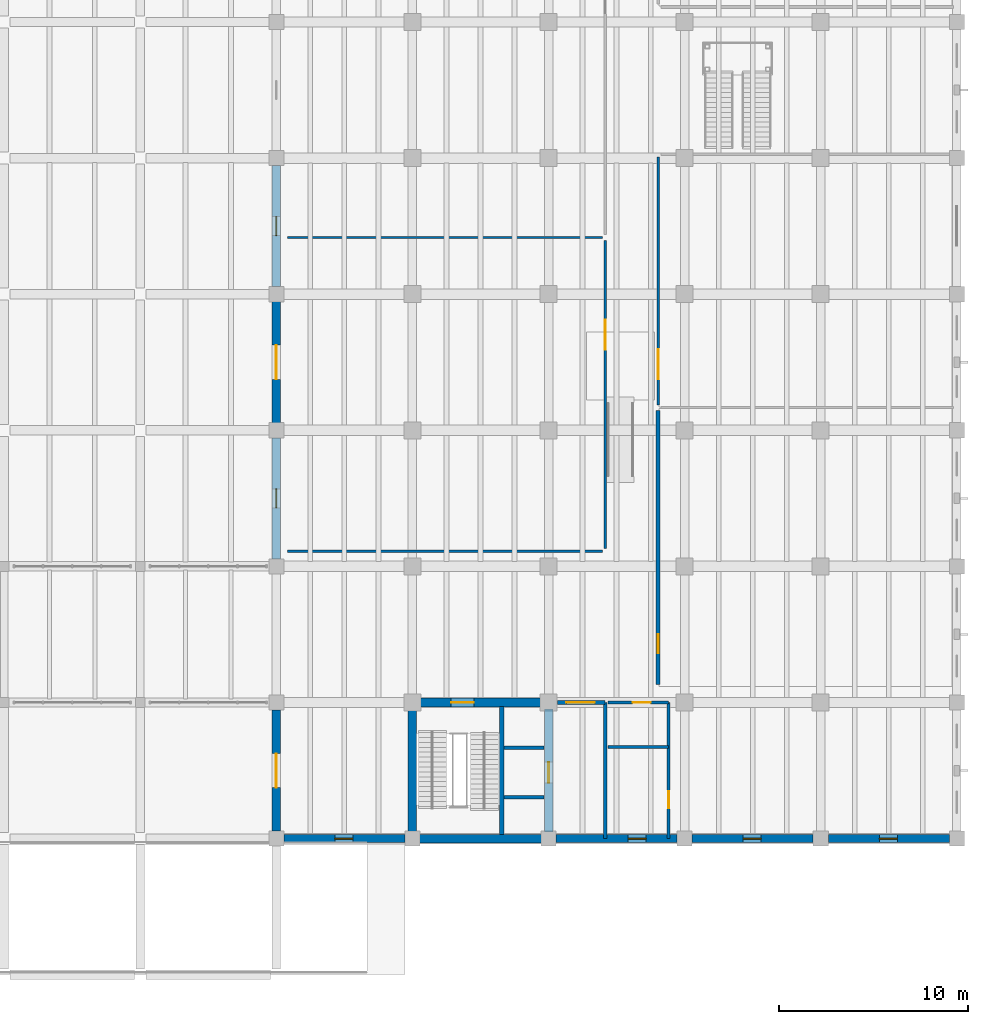
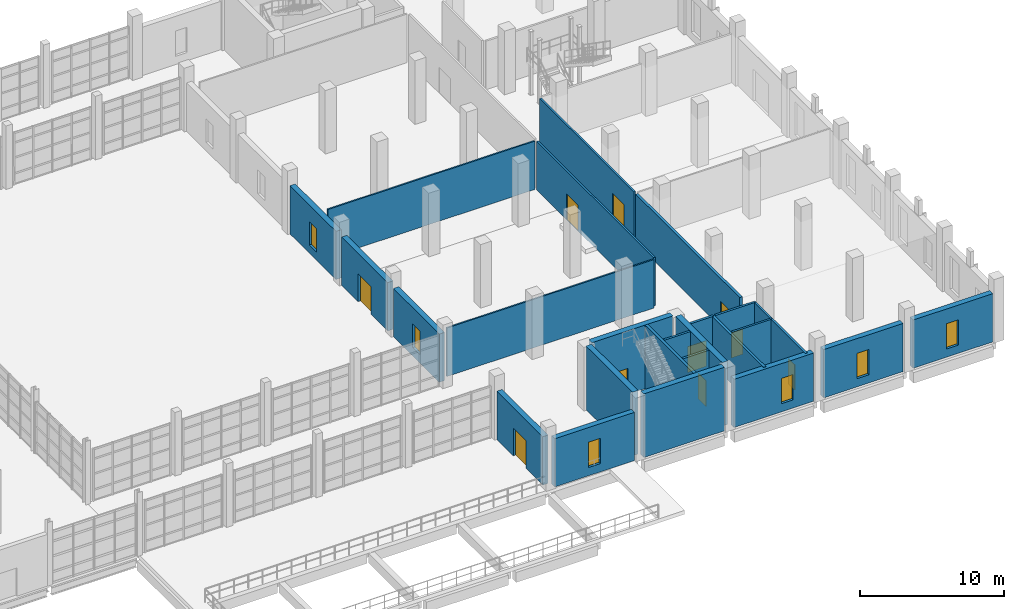
# One storey, part 70 of 79: 25 walls, 10 doors, 6 windows, 16 openings.
"""IFC4 building model written with IfcOpenShell, lengths in metres."""

from ifc_helpers import new_model, si_unit, direction, frame, frame_2d, origin, place, context, subcontext, project, spatial, rectangle, extrude, material, layer, layer_set, type_object, element, fill, save


model = new_model("IFC4")

# Units and contexts
model_context = context("Model", 3, precision=1e-05, world=origin(), true_north=direction((0.0, 1.0)))
body_context = subcontext(model_context, "Body", "Model", "MODEL_VIEW")
ifc_project = project(units=[si_unit("LENGTHUNIT", "METRE"), si_unit("AREAUNIT", "SQUARE_METRE"), si_unit("VOLUMEUNIT", "CUBIC_METRE"), si_unit("PLANEANGLEUNIT", "RADIAN"), si_unit("MASSUNIT", "GRAM", prefix="KILO")], contexts=[model_context])

# Site, building, storey
site_placement = place(None, origin())
site = spatial("IfcSite", under=ifc_project, at=site_placement, CompositionType="ELEMENT")
building_placement = place(site_placement, origin())
building = spatial("IfcBuilding", under=site, at=building_placement, Name="Qiaolan Assembly House", CompositionType="ELEMENT")
storey_placement = place(building_placement, origin())
storey = spatial("IfcBuildingStorey", under=building, at=storey_placement, Name="L00", CompositionType="ELEMENT", Elevation=0.0)

# Wall
ifc_material_1 = material(Name="Concrete C50/60", Category="concrete")
ifc_layer_1 = layer(ifc_material_1, 0.449951171875)
ifc_layer_set_1 = layer_set([ifc_layer_1], Name="Concrete C50/60")
wall_type_1 = type_object("IfcWallType", Name="WAL-CORE-450", PredefinedType="SHEAR", material=ifc_layer_set_1)
wall_1_placement = place(storey_placement, frame((144.35009765625, 28.800048828125, 0.0), z_axis=(0.0, 0.0, 1.0), x_axis=(1.0, 0.0, 0.0)))
element("IfcWall", 1, at=wall_1_placement, inside=storey, type_object=wall_type_1, Name="CW-450 shear core wall CORE-E S L00", PredefinedType="SHEAR", context=body_context, shape_type="SweptSolid", body=[
    extrude(rectangle(XDim=6.5, YDim=0.449951171875, at=frame_2d((3.25, 0.0))), origin(), (0.0, 0.0, 1.0), 5.39990234375),
])

# Wall, opening, door
wall_2_placement = place(storey_placement, frame((151.199951171875, 29.14990234375, 0.0), z_axis=(0.0, 0.0, 1.0), x_axis=(0.0, 1.0, 0.0)))
wall_2 = element("IfcWall", 2, at=wall_2_placement, inside=storey, type_object=wall_type_1, Name="CW-450 shear core wall CORE-E E L00", PredefinedType="SHEAR", context=body_context, shape_type="SweptSolid", body=[
    extrude(rectangle(XDim=6.5, YDim=0.449951171875, at=frame_2d((3.25, 0.0))), origin(), (0.0, 0.0, 1.0), 5.39990234375),
])
opening_1_placement = place(wall_2_placement, frame((2.60009765625, 0.0, 0.0)))
opening_1 = element("IfcOpeningElement", 3, at=opening_1_placement, cuts=wall_2, Name="Opening LD-065", PredefinedType="OPENING", context=body_context, shape_type="SweptSolid", body=[
    extrude(rectangle(XDim=1.10009765625, YDim=2.199951171875, at=frame_2d((0.550048828125, 1.10009765625))), frame((0.0, 0.23486328125, 0.0), z_axis=(0.0, -1.0, 0.0), x_axis=(1.0, 0.0, 0.0)), (0.0, 0.0, 1.0), 0.469970703125),
])
ifc_material_2 = material(Name="Anodised bronze aluminium", Category="aluminium")
door_type_1 = type_object("IfcDoorType", Name="DOR-LIFT-LD1100", OperationType="SLIDING_TO_LEFT", PredefinedType="DOOR", material=ifc_material_2)
door_1_placement = place(opening_1_placement, origin())
door_1 = element("IfcDoor", 4, at=door_1_placement, inside=storey, type_object=door_type_1, Name="Lift landing door LD-065 (LF-09 L00)", OperationType="SLIDING_TO_LEFT", OverallHeight=2.199951171875, OverallWidth=1.10009765625, PredefinedType="DOOR", context=body_context, shape_type="SweptSolid", body=[
    extrude(rectangle(XDim=1.10009765625, YDim=2.199951171875, at=frame_2d((0.550048828125, 1.10009765625))), frame((0.0, 0.02490234375, 0.0), z_axis=(0.0, -1.0, 0.0), x_axis=(1.0, 0.0, 0.0)), (0.0, 0.0, 1.0), 0.050048828125),
])
fill(opening_1, door_1)

wall_3_placement = place(storey_placement, frame((150.85009765625, 36.0, 0.0), z_axis=(0.0, 0.0, 1.0), x_axis=(-1.0, 0.0, 0.0)))
wall_3 = element("IfcWall", 5, at=wall_3_placement, inside=storey, type_object=wall_type_1, Name="CW-450 shear core wall CORE-E N L00", PredefinedType="SHEAR", context=body_context, shape_type="SweptSolid", body=[
    extrude(rectangle(XDim=6.5, YDim=0.449951171875, at=frame_2d((3.25, 0.0))), origin(), (0.0, 0.0, 1.0), 5.39990234375),
])
opening_2_placement = place(wall_3_placement, frame((3.60009765625, 0.0, 0.0)))
opening_2 = element("IfcOpeningElement", 6, at=opening_2_placement, cuts=wall_3, Name="Opening FD-109", PredefinedType="OPENING", context=body_context, shape_type="SweptSolid", body=[
    extrude(rectangle(XDim=1.199951171875, YDim=2.199951171875, at=frame_2d((0.60009765625, 1.10009765625))), frame((0.0, 0.23486328125, 0.0), z_axis=(0.0, -1.0, 0.0), x_axis=(1.0, 0.0, 0.0)), (0.0, 0.0, 1.0), 0.469970703125),
])
ifc_material_3 = material(Name="Steel Q355B", Category="steel")
door_type_2 = type_object("IfcDoorType", Name="DOR-FIRE-FD90-1200", OperationType="NOTDEFINED", PredefinedType="DOOR", material=ifc_material_3)
door_2_placement = place(opening_2_placement, frame((1.199951171875, 0.0, 0.0), z_axis=(0.0, 0.0, 1.0), x_axis=(-1.0, 0.0, 0.0)))
door_2 = element("IfcDoor", 7, at=door_2_placement, inside=storey, type_object=door_type_2, Name="Stairwell fire door FD-109 (CORE-E L00)", OperationType="SINGLE_SWING_RIGHT", OverallHeight=2.199951171875, OverallWidth=1.199951171875, PredefinedType="DOOR", context=body_context, shape_type="SweptSolid", body=[
    extrude(rectangle(XDim=1.199951171875, YDim=2.199951171875, at=frame_2d((0.60009765625, 1.10009765625))), frame((0.0, 0.02490234375, 0.0), z_axis=(0.0, -1.0, 0.0), x_axis=(1.0, 0.0, 0.0)), (0.0, 0.0, 1.0), 0.050048828125),
])
fill(opening_2, door_2)

# Wall
wall_4_placement = place(storey_placement, frame((144.0, 35.64990234375, 0.0), z_axis=(0.0, 0.0, 1.0), x_axis=(0.0, -1.0, 0.0)))
element("IfcWall", 8, at=wall_4_placement, inside=storey, type_object=wall_type_1, Name="CW-450 shear core wall CORE-E W L00", PredefinedType="SHEAR", context=body_context, shape_type="SweptSolid", body=[
    extrude(rectangle(XDim=6.5, YDim=0.449951171875, at=frame_2d((3.25, 0.0))), origin(), (0.0, 0.0, 1.0), 5.39990234375),
])

# Wall, opening, door
ifc_material_4 = material(Name="Honed pale limestone", Category="masonry")
ifc_layer_2 = layer(ifc_material_4, 0.43505859375)
ifc_layer_set_2 = layer_set([ifc_layer_2], Name="Honed pale limestone")
wall_type_2 = type_object("IfcWallType", Name="WAL-EXT-RUSTIC-420", PredefinedType="SOLIDWALL", material=ifc_layer_set_2)
wall_5_placement = place(storey_placement, frame((136.800048828125, 29.197998046875, 0.0), z_axis=(0.0, 0.0, 1.0), x_axis=(0.0, 1.0, 0.0)))
wall_5 = element("IfcWall", 9, at=wall_5_placement, inside=storey, type_object=wall_type_2, Name="Library West court wall L00-1", PredefinedType="SOLIDWALL", context=body_context, shape_type="SweptSolid", body=[
    extrude(rectangle(XDim=6.404052734375, YDim=0.43505859375, at=frame_2d((3.2021484375, 0.0))), origin(), (0.0, 0.0, 1.0), 4.10009765625),
])
opening_3_placement = place(wall_5_placement, frame((2.302001953125, 0.0, 0.0)))
opening_3 = element("IfcOpeningElement", 10, at=opening_3_placement, cuts=wall_5, Name="Opening ED-805", PredefinedType="OPENING", context=body_context, shape_type="SweptSolid", body=[
    extrude(rectangle(XDim=1.800048828125, YDim=2.35009765625, at=frame_2d((0.89990234375, 1.175048828125))), frame((0.0, 0.2275390625, 0.0), z_axis=(0.0, -1.0, 0.0), x_axis=(1.0, 0.0, 0.0)), (0.0, 0.0, 1.0), 0.455078125),
])
door_type_3 = type_object("IfcDoorType", Name="DOR-TERR-GLZ-1800", OperationType="DOUBLE_DOOR_SINGLE_SWING", PredefinedType="DOOR", material=ifc_material_2)
door_3_placement = place(opening_3_placement, frame((1.800048828125, 0.0, 0.0), z_axis=(0.0, 0.0, 1.0), x_axis=(-1.0, 0.0, 0.0)))
door_3 = element("IfcDoor", 11, at=door_3_placement, inside=storey, type_object=door_type_3, Name="Library South Apron exterior exit door ED-805", OperationType="DOUBLE_DOOR_SINGLE_SWING", OverallHeight=2.35009765625, OverallWidth=1.800048828125, PredefinedType="DOOR", context=body_context, shape_type="SweptSolid", body=[
    extrude(rectangle(XDim=1.800048828125, YDim=2.35009765625, at=frame_2d((0.89990234375, 1.175048828125))), frame((0.0, 0.02490234375, 0.0), z_axis=(0.0, -1.0, 0.0), x_axis=(1.0, 0.0, 0.0)), (0.0, 0.0, 1.0), 0.050048828125),
])
fill(opening_3, door_3)

# Wall, opening, window
wall_6_placement = place(storey_placement, frame((136.800048828125, 43.597900390625, 0.0), z_axis=(0.0, 0.0, 1.0), x_axis=(0.0, 1.0, 0.0)))
wall_6 = element("IfcWall", 12, at=wall_6_placement, inside=storey, type_object=wall_type_2, Name="Library West court wall L00-3", PredefinedType="SOLIDWALL", context=body_context, shape_type="SweptSolid", body=[
    extrude(rectangle(XDim=6.404052734375, YDim=0.43505859375, at=frame_2d((3.2021484375, 0.0))), origin(), (0.0, 0.0, 1.0), 4.10009765625),
])
opening_4_placement = place(wall_6_placement, frame((2.701904296875, 0.0, 0.699951171875)))
opening_4 = element("IfcOpeningElement", 13, at=opening_4_placement, cuts=wall_6, Name="Opening WN-406", PredefinedType="OPENING", context=body_context, shape_type="SweptSolid", body=[
    extrude(rectangle(XDim=1.0, YDim=2.0, at=frame_2d((0.5, 1.0))), frame((0.0, 0.2275390625, 0.0), z_axis=(0.0, -1.0, 0.0), x_axis=(1.0, 0.0, 0.0)), (0.0, 0.0, 1.0), 0.455078125),
])
ifc_material_5 = material(Name="Low-E double insulating glass", Category="glass")
window_type_1 = type_object("IfcWindowType", Name="WIN-LIB-ARCH-1000x2000", PartitioningType="SINGLE_PANEL", PredefinedType="WINDOW", material=ifc_material_5)
window_1_placement = place(opening_4_placement, origin())
window_1 = element("IfcWindow", 14, at=window_1_placement, inside=storey, type_object=window_type_1, Name="Library courtyard window WN-406", OverallHeight=2.0, OverallWidth=1.0, PartitioningType="SINGLE_PANEL", PredefinedType="WINDOW", context=body_context, shape_type="SweptSolid", body=[
    extrude(rectangle(XDim=1.0, YDim=2.0, at=frame_2d((0.5, 1.0))), frame((0.0, 0.030029296875, 0.0), z_axis=(0.0, -1.0, 0.0), x_axis=(1.0, 0.0, 0.0)), (0.0, 0.0, 1.0), 0.06005859375),
])
fill(opening_4, window_1)

# Wall, opening, door
wall_7_placement = place(storey_placement, frame((136.800048828125, 50.798095703125, 0.0), z_axis=(0.0, 0.0, 1.0), x_axis=(0.0, 1.0, 0.0)))
wall_7 = element("IfcWall", 15, at=wall_7_placement, inside=storey, type_object=wall_type_2, Name="Library West court wall L00-4", PredefinedType="SOLIDWALL", context=body_context, shape_type="SweptSolid", body=[
    extrude(rectangle(XDim=6.40380859375, YDim=0.43505859375, at=frame_2d((3.201904296875, 0.0))), origin(), (0.0, 0.0, 1.0), 4.10009765625),
])
opening_5_placement = place(wall_7_placement, frame((2.302001953125, 0.0, 0.0)))
opening_5 = element("IfcOpeningElement", 16, at=opening_5_placement, cuts=wall_7, Name="Opening CD-030", PredefinedType="OPENING", context=body_context, shape_type="SweptSolid", body=[
    extrude(rectangle(XDim=1.800048828125, YDim=2.35009765625, at=frame_2d((0.89990234375, 1.175048828125))), frame((0.0, 0.2275390625, 0.0), z_axis=(0.0, -1.0, 0.0), x_axis=(1.0, 0.0, 0.0)), (0.0, 0.0, 1.0), 0.455078125),
])
door_4_placement = place(opening_5_placement, frame((1.800048828125, 0.0, 0.0), z_axis=(0.0, 0.0, 1.0), x_axis=(-1.0, 0.0, 0.0)))
door_4 = element("IfcDoor", 17, at=door_4_placement, inside=storey, type_object=door_type_3, Name="Cloister Courtyard reading terrace door CD-030", OperationType="DOUBLE_DOOR_SINGLE_SWING", OverallHeight=2.35009765625, OverallWidth=1.800048828125, PredefinedType="DOOR", context=body_context, shape_type="SweptSolid", body=[
    extrude(rectangle(XDim=1.800048828125, YDim=2.35009765625, at=frame_2d((0.89990234375, 1.175048828125))), frame((0.0, 0.02490234375, 0.0), z_axis=(0.0, -1.0, 0.0), x_axis=(1.0, 0.0, 0.0)), (0.0, 0.0, 1.0), 0.050048828125),
])
fill(opening_5, door_4)

# Wall, opening, window
wall_8_placement = place(storey_placement, frame((136.800048828125, 57.998046875, 0.0), z_axis=(0.0, 0.0, 1.0), x_axis=(0.0, 1.0, 0.0)))
wall_8 = element("IfcWall", 18, at=wall_8_placement, inside=storey, type_object=wall_type_2, Name="Library West court wall L00-5", PredefinedType="SOLIDWALL", context=body_context, shape_type="SweptSolid", body=[
    extrude(rectangle(XDim=6.404052734375, YDim=0.43505859375, at=frame_2d((3.2021484375, 0.0))), origin(), (0.0, 0.0, 1.0), 4.10009765625),
])
opening_6_placement = place(wall_8_placement, frame((2.701904296875, 0.0, 0.699951171875)))
opening_6 = element("IfcOpeningElement", 19, at=opening_6_placement, cuts=wall_8, Name="Opening WN-409", PredefinedType="OPENING", context=body_context, shape_type="SweptSolid", body=[
    extrude(rectangle(XDim=1.0, YDim=2.0, at=frame_2d((0.5, 1.0))), frame((0.0, 0.2275390625, 0.0), z_axis=(0.0, -1.0, 0.0), x_axis=(1.0, 0.0, 0.0)), (0.0, 0.0, 1.0), 0.455078125),
])
window_2_placement = place(opening_6_placement, origin())
window_2 = element("IfcWindow", 20, at=window_2_placement, inside=storey, type_object=window_type_1, Name="Library courtyard window WN-409", OverallHeight=2.0, OverallWidth=1.0, PartitioningType="SINGLE_PANEL", PredefinedType="WINDOW", context=body_context, shape_type="SweptSolid", body=[
    extrude(rectangle(XDim=1.0, YDim=2.0, at=frame_2d((0.5, 1.0))), frame((0.0, 0.030029296875, 0.0), z_axis=(0.0, -1.0, 0.0), x_axis=(1.0, 0.0, 0.0)), (0.0, 0.0, 1.0), 0.06005859375),
])
fill(opening_6, window_2)

wall_9_placement = place(storey_placement, frame((137.197998046875, 28.800048828125, 0.0), z_axis=(0.0, 0.0, 1.0), x_axis=(1.0, 0.0, 0.0)))
wall_9 = element("IfcWall", 21, at=wall_9_placement, inside=storey, type_object=wall_type_2, Name="Library South wall L00-1", PredefinedType="SOLIDWALL", context=body_context, shape_type="SweptSolid", body=[
    extrude(rectangle(XDim=6.404052734375, YDim=0.43505859375, at=frame_2d((3.2021484375, 0.0))), origin(), (0.0, 0.0, 1.0), 4.10009765625),
])
opening_7_placement = place(wall_9_placement, frame((2.701904296875, 0.0, 0.699951171875)))
opening_7 = element("IfcOpeningElement", 22, at=opening_7_placement, cuts=wall_9, Name="Opening WN-418", PredefinedType="OPENING", context=body_context, shape_type="SweptSolid", body=[
    extrude(rectangle(XDim=0.949951171875, YDim=2.14990234375, at=frame_2d((0.47509765625, 1.074951171875))), frame((0.0, 0.2275390625, 0.0), z_axis=(0.0, -1.0, 0.0), x_axis=(1.0, 0.0, 0.0)), (0.0, 0.0, 1.0), 0.455078125),
])
window_type_2 = type_object("IfcWindowType", Name="WIN-PUNCH-950x2150", PartitioningType="SINGLE_PANEL", PredefinedType="WINDOW", material=ifc_material_5)
window_3_placement = place(opening_7_placement, origin())
window_3 = element("IfcWindow", 23, at=window_3_placement, inside=storey, type_object=window_type_2, Name="Library South window WN-418", OverallHeight=2.14990234375, OverallWidth=0.949951171875, PartitioningType="SINGLE_PANEL", PredefinedType="WINDOW", context=body_context, shape_type="SweptSolid", body=[
    extrude(rectangle(XDim=0.949951171875, YDim=2.14990234375, at=frame_2d((0.47509765625, 1.074951171875))), frame((0.0, 0.030029296875, 0.0), z_axis=(0.0, -1.0, 0.0), x_axis=(1.0, 0.0, 0.0)), (0.0, 0.0, 1.0), 0.06005859375),
])
fill(opening_7, window_3)

wall_10_placement = place(storey_placement, frame((151.597900390625, 28.800048828125, 0.0), z_axis=(0.0, 0.0, 1.0), x_axis=(1.0, 0.0, 0.0)))
wall_10 = element("IfcWall", 24, at=wall_10_placement, inside=storey, type_object=wall_type_2, Name="Library South wall L00-3", PredefinedType="SOLIDWALL", context=body_context, shape_type="SweptSolid", body=[
    extrude(rectangle(XDim=6.404052734375, YDim=0.43505859375, at=frame_2d((3.2021484375, 0.0))), origin(), (0.0, 0.0, 1.0), 4.10009765625),
])
opening_8_placement = place(wall_10_placement, frame((3.810791015625, 0.0, 0.699951171875)))
opening_8 = element("IfcOpeningElement", 25, at=opening_8_placement, cuts=wall_10, Name="Opening WN-420", PredefinedType="OPENING", context=body_context, shape_type="SweptSolid", body=[
    extrude(rectangle(XDim=0.949951171875, YDim=2.14990234375, at=frame_2d((0.47509765625, 1.074951171875))), frame((0.0, 0.2275390625, 0.0), z_axis=(0.0, -1.0, 0.0), x_axis=(1.0, 0.0, 0.0)), (0.0, 0.0, 1.0), 0.455078125),
])
window_4_placement = place(opening_8_placement, origin())
window_4 = element("IfcWindow", 26, at=window_4_placement, inside=storey, type_object=window_type_2, Name="Library South window WN-420", OverallHeight=2.14990234375, OverallWidth=0.949951171875, PartitioningType="SINGLE_PANEL", PredefinedType="WINDOW", context=body_context, shape_type="SweptSolid", body=[
    extrude(rectangle(XDim=0.949951171875, YDim=2.14990234375, at=frame_2d((0.47509765625, 1.074951171875))), frame((0.0, 0.030029296875, 0.0), z_axis=(0.0, -1.0, 0.0), x_axis=(1.0, 0.0, 0.0)), (0.0, 0.0, 1.0), 0.06005859375),
])
fill(opening_8, window_4)

wall_11_placement = place(storey_placement, frame((158.798095703125, 28.800048828125, 0.0), z_axis=(0.0, 0.0, 1.0), x_axis=(1.0, 0.0, 0.0)))
wall_11 = element("IfcWall", 27, at=wall_11_placement, inside=storey, type_object=wall_type_2, Name="Library South wall L00-4", PredefinedType="SOLIDWALL", context=body_context, shape_type="SweptSolid", body=[
    extrude(rectangle(XDim=6.40380859375, YDim=0.43505859375, at=frame_2d((3.201904296875, 0.0))), origin(), (0.0, 0.0, 1.0), 4.10009765625),
])
opening_9_placement = place(wall_11_placement, frame((2.701904296875, 0.0, 0.699951171875)))
opening_9 = element("IfcOpeningElement", 28, at=opening_9_placement, cuts=wall_11, Name="Opening WN-422", PredefinedType="OPENING", context=body_context, shape_type="SweptSolid", body=[
    extrude(rectangle(XDim=0.949951171875, YDim=2.14990234375, at=frame_2d((0.47509765625, 1.074951171875))), frame((0.0, 0.2275390625, 0.0), z_axis=(0.0, -1.0, 0.0), x_axis=(1.0, 0.0, 0.0)), (0.0, 0.0, 1.0), 0.455078125),
])
window_5_placement = place(opening_9_placement, origin())
window_5 = element("IfcWindow", 29, at=window_5_placement, inside=storey, type_object=window_type_2, Name="Library South window WN-422", OverallHeight=2.14990234375, OverallWidth=0.949951171875, PartitioningType="SINGLE_PANEL", PredefinedType="WINDOW", context=body_context, shape_type="SweptSolid", body=[
    extrude(rectangle(XDim=0.949951171875, YDim=2.14990234375, at=frame_2d((0.47509765625, 1.074951171875))), frame((0.0, 0.030029296875, 0.0), z_axis=(0.0, -1.0, 0.0), x_axis=(1.0, 0.0, 0.0)), (0.0, 0.0, 1.0), 0.06005859375),
])
fill(opening_9, window_5)

wall_12_placement = place(storey_placement, frame((165.998046875, 28.800048828125, 0.0), z_axis=(0.0, 0.0, 1.0), x_axis=(1.0, 0.0, 0.0)))
wall_12 = element("IfcWall", 30, at=wall_12_placement, inside=storey, type_object=wall_type_2, Name="Library South wall L00-5", PredefinedType="SOLIDWALL", context=body_context, shape_type="SweptSolid", body=[
    extrude(rectangle(XDim=6.404052734375, YDim=0.43505859375, at=frame_2d((3.2021484375, 0.0))), origin(), (0.0, 0.0, 1.0), 4.10009765625),
])
opening_10_placement = place(wall_12_placement, frame((2.701904296875, 0.0, 0.699951171875)))
opening_10 = element("IfcOpeningElement", 31, at=opening_10_placement, cuts=wall_12, Name="Opening WN-424", PredefinedType="OPENING", context=body_context, shape_type="SweptSolid", body=[
    extrude(rectangle(XDim=0.949951171875, YDim=2.14990234375, at=frame_2d((0.47509765625, 1.074951171875))), frame((0.0, 0.2275390625, 0.0), z_axis=(0.0, -1.0, 0.0), x_axis=(1.0, 0.0, 0.0)), (0.0, 0.0, 1.0), 0.455078125),
])
window_6_placement = place(opening_10_placement, origin())
window_6 = element("IfcWindow", 32, at=window_6_placement, inside=storey, type_object=window_type_2, Name="Library South window WN-424", OverallHeight=2.14990234375, OverallWidth=0.949951171875, PartitioningType="SINGLE_PANEL", PredefinedType="WINDOW", context=body_context, shape_type="SweptSolid", body=[
    extrude(rectangle(XDim=0.949951171875, YDim=2.14990234375, at=frame_2d((0.47509765625, 1.074951171875))), frame((0.0, 0.030029296875, 0.0), z_axis=(0.0, -1.0, 0.0), x_axis=(1.0, 0.0, 0.0)), (0.0, 0.0, 1.0), 0.06005859375),
])
fill(opening_10, window_6)

# Wall
ifc_material_6 = material(Name="Concrete C35/45", Category="concrete")
ifc_layer_3 = layer(ifc_material_6, 0.199951171875)
ifc_layer_set_3 = layer_set([ifc_layer_3], Name="Concrete C35/45")
wall_type_3 = type_object("IfcWallType", Name="WAL-LOBBY-200", PredefinedType="PARTITIONING", material=ifc_layer_set_3)
wall_13_placement = place(storey_placement, frame((154.199951171875, 28.800048828125, 0.0), z_axis=(0.0, 0.0, 1.0), x_axis=(0.0, 1.0, 0.0)))
element("IfcWall", 33, at=wall_13_placement, inside=storey, type_object=wall_type_3, Name="Firefighting lift lobby east wall CORE-E L00", PredefinedType="PARTITIONING", context=body_context, shape_type="SweptSolid", body=[
    extrude(rectangle(XDim=7.199951171875, YDim=0.199951171875, at=frame_2d((3.60009765625, 0.0))), origin(), (0.0, 0.0, 1.0), 4.1201171875),
])

# Wall, opening, door
wall_14_placement = place(storey_placement, frame((154.199951171875, 36.0, 0.0), z_axis=(0.0, 0.0, 1.0), x_axis=(-1.0, 0.0, 0.0)))
wall_14 = element("IfcWall", 34, at=wall_14_placement, inside=storey, type_object=wall_type_3, Name="Firefighting lift lobby north wall CORE-E L00", PredefinedType="PARTITIONING", context=body_context, shape_type="SweptSolid", body=[
    extrude(rectangle(XDim=2.52001953125, YDim=0.199951171875, at=frame_2d((1.260009765625, 0.0))), origin(), (0.0, 0.0, 1.0), 4.1201171875),
])
opening_11_placement = place(wall_14_placement, frame((0.550048828125, 0.0, 0.0)))
opening_11 = element("IfcOpeningElement", 35, at=opening_11_placement, cuts=wall_14, Name="Opening FD-110", PredefinedType="OPENING", context=body_context, shape_type="SweptSolid", body=[
    extrude(rectangle(XDim=1.5, YDim=2.199951171875, at=frame_2d((0.75, 1.10009765625))), frame((0.0, 0.10986328125, 0.0), z_axis=(0.0, -1.0, 0.0), x_axis=(1.0, 0.0, 0.0)), (0.0, 0.0, 1.0), 0.219970703125),
])
ifc_material_7 = material(Name="Acoustic oak panelling")
door_type_4 = type_object("IfcDoorType", Name="DOR-LOBBY-FD60-1500", OperationType="DOUBLE_DOOR_SINGLE_SWING", PredefinedType="DOOR", material=ifc_material_7)
door_5_placement = place(opening_11_placement, frame((1.5, 0.0, 0.0), z_axis=(0.0, 0.0, 1.0), x_axis=(-1.0, 0.0, 0.0)))
door_5 = element("IfcDoor", 36, at=door_5_placement, inside=storey, type_object=door_type_4, Name="Lobby corridor fire door FD-110", OperationType="DOUBLE_DOOR_SINGLE_SWING", OverallHeight=2.199951171875, OverallWidth=1.5, PredefinedType="DOOR", context=body_context, shape_type="SweptSolid", body=[
    extrude(rectangle(XDim=1.5, YDim=2.199951171875, at=frame_2d((0.75, 1.10009765625))), frame((0.0, 0.02490234375, 0.0), z_axis=(0.0, -1.0, 0.0), x_axis=(1.0, 0.0, 0.0)), (0.0, 0.0, 1.0), 0.050048828125),
])
fill(opening_11, door_5)

# Walls
ifc_material_8 = material(Name="Gypsum plasterboard partition")
ifc_layer_4 = layer(ifc_material_8, 0.1201171875)
ifc_layer_set_4 = layer_set([ifc_layer_4], Name="Gypsum plasterboard partition")
wall_type_4 = type_object("IfcWallType", Name="WAL-PART-120", PredefinedType="PARTITIONING", material=ifc_layer_set_4)
for number, where, z_axis, x_axis, name in (
    (37, (137.39990234375, 44.0, 0.0), (0.0, 0.0, 1.0), (1.0, 0.0, 0.0), "Cloister Court Reading Carrels L00 end wall"),
    (38, (137.39990234375, 60.60009765625, 0.0), (0.0, 0.0, 1.0), (1.0, 0.0, 0.0), "Municipal Legal Reference Stacks L00 divider wall"),
):
    element("IfcWall", number, at=place(storey_placement, frame(where, z_axis=z_axis, x_axis=x_axis)), inside=storey, type_object=wall_type_4, Name=name, PredefinedType="PARTITIONING", context=body_context, shape_type="SweptSolid", body=[
        extrude(rectangle(XDim=16.650146484375, YDim=0.1201171875, at=frame_2d((8.3251953125, 0.0))), origin(), (0.0, 0.0, 1.0), 4.1201171875),
    ])

# Wall, opening, door
ifc_layer_5 = layer(ifc_material_8, 0.14990234375)
ifc_layer_set_5 = layer_set([ifc_layer_5], Name="Gypsum plasterboard partition")
wall_type_5 = type_object("IfcWallType", Name="WAL-PART-150", PredefinedType="PARTITIONING", material=ifc_layer_set_5)
wall_15_placement = place(storey_placement, frame((154.199951171875, 60.449951171875, 0.0), z_axis=(0.0, 0.0, 1.0), x_axis=(0.0, -1.0, 0.0)))
wall_15 = element("IfcWall", 39, at=wall_15_placement, inside=storey, type_object=wall_type_5, Name="Cloister Court Reading Carrels L00 corridor wall", PredefinedType="PARTITIONING", context=body_context, shape_type="SweptSolid", body=[
    extrude(rectangle(XDim=16.300048828125, YDim=0.14990234375, at=frame_2d((8.14990234375, 0.0))), origin(), (0.0, 0.0, 1.0), 4.1201171875),
])
opening_12_placement = place(wall_15_placement, frame((4.199951171875, 0.0, 0.0)))
opening_12 = element("IfcOpeningElement", 40, at=opening_12_placement, cuts=wall_15, Name="Opening MD-274", PredefinedType="OPENING", context=body_context, shape_type="SweptSolid", body=[
    extrude(rectangle(XDim=1.60009765625, YDim=2.199951171875, at=frame_2d((0.800048828125, 1.10009765625))), frame((0.0, 0.0849609375, 0.0), z_axis=(0.0, -1.0, 0.0), x_axis=(1.0, 0.0, 0.0)), (0.0, 0.0, 1.0), 0.169921875),
])
door_type_5 = type_object("IfcDoorType", Name="DOR-COMM-DBL-1600", OperationType="DOUBLE_DOOR_SINGLE_SWING", PredefinedType="DOOR", material=ifc_material_7)
door_6_placement = place(opening_12_placement, origin())
door_6 = element("IfcDoor", 41, at=door_6_placement, inside=storey, type_object=door_type_5, Name="Cloister Court Reading Carrels L00 door MD-274", OperationType="DOUBLE_DOOR_SINGLE_SWING", OverallHeight=2.199951171875, OverallWidth=1.60009765625, PredefinedType="DOOR", context=body_context, shape_type="SweptSolid", body=[
    extrude(rectangle(XDim=1.60009765625, YDim=2.199951171875, at=frame_2d((0.800048828125, 1.10009765625))), frame((0.0, 0.02490234375, 0.0), z_axis=(0.0, -1.0, 0.0), x_axis=(1.0, 0.0, 0.0)), (0.0, 0.0, 1.0), 0.050048828125),
])
fill(opening_12, door_6)

wall_16_placement = place(storey_placement, frame((157.0, 51.75, 0.0), z_axis=(0.0, 0.0, 1.0), x_axis=(0.0, 1.0, 0.0)))
wall_16 = element("IfcWall", 42, at=wall_16_placement, inside=storey, type_object=wall_type_5, Name="Civic Gazetteer & Periodicals Reading Hall corridor wall", PredefinedType="PARTITIONING", context=body_context, shape_type="SweptSolid", body=[
    extrude(rectangle(XDim=13.10009765625, YDim=0.14990234375, at=frame_2d((6.550048828125, 0.0))), origin(), (0.0, 0.0, 1.0), 4.1201171875),
])
opening_13_placement = place(wall_16_placement, frame((1.35009765625, 0.0, 0.0)))
opening_13 = element("IfcOpeningElement", 43, at=opening_13_placement, cuts=wall_16, Name="Opening MD-277", PredefinedType="OPENING", context=body_context, shape_type="SweptSolid", body=[
    extrude(rectangle(XDim=1.60009765625, YDim=2.199951171875, at=frame_2d((0.800048828125, 1.10009765625))), frame((0.0, 0.0849609375, 0.0), z_axis=(0.0, -1.0, 0.0), x_axis=(1.0, 0.0, 0.0)), (0.0, 0.0, 1.0), 0.169921875),
])
door_7_placement = place(opening_13_placement, origin())
door_7 = element("IfcDoor", 44, at=door_7_placement, inside=storey, type_object=door_type_5, Name="Civic Gazetteer & Periodicals Reading Hall door MD-277", OperationType="DOUBLE_DOOR_SINGLE_SWING", OverallHeight=2.199951171875, OverallWidth=1.60009765625, PredefinedType="DOOR", context=body_context, shape_type="SweptSolid", body=[
    extrude(rectangle(XDim=1.60009765625, YDim=2.199951171875, at=frame_2d((0.800048828125, 1.10009765625))), frame((0.0, 0.02490234375, 0.0), z_axis=(0.0, -1.0, 0.0), x_axis=(1.0, 0.0, 0.0)), (0.0, 0.0, 1.0), 0.050048828125),
])
fill(opening_13, door_7)

ifc_material_9 = material(Name="Gypsum acoustic stud wall")
ifc_layer_6 = layer(ifc_material_9, 0.2119140625)
ifc_layer_set_6 = layer_set([ifc_layer_6], Name="Gypsum acoustic stud wall")
wall_type_6 = type_object("IfcWallType", Name="WAL-PART-ACOUSTIC-200", PredefinedType="PARTITIONING", material=ifc_layer_set_6)
wall_17_placement = place(storey_placement, frame((157.0, 36.949951171875, 0.0), z_axis=(0.0, 0.0, 1.0), x_axis=(0.0, 1.0, 0.0)))
wall_17 = element("IfcWall", 45, at=wall_17_placement, inside=storey, type_object=wall_type_6, Name="Municipal Public Archive Search & Reference Room corridor wall", PredefinedType="PARTITIONING", context=body_context, shape_type="SweptSolid", body=[
    extrude(rectangle(XDim=14.5, YDim=0.2119140625, at=frame_2d((7.25, 0.0))), origin(), (0.0, 0.0, 1.0), 4.1201171875),
])
opening_14_placement = place(wall_17_placement, frame((1.64990234375, 0.0, 0.0)))
opening_14 = element("IfcOpeningElement", 46, at=opening_14_placement, cuts=wall_17, Name="Opening MD-276", PredefinedType="OPENING", context=body_context, shape_type="SweptSolid", body=[
    extrude(rectangle(XDim=1.0, YDim=2.199951171875, at=frame_2d((0.5, 1.10009765625))), frame((0.0, 0.115966796875, 0.0), z_axis=(0.0, -1.0, 0.0), x_axis=(1.0, 0.0, 0.0)), (0.0, 0.0, 1.0), 0.23193359375),
])
door_type_6 = type_object("IfcDoorType", Name="DOR-OFF-SGL-1000", OperationType="NOTDEFINED", PredefinedType="DOOR", material=ifc_material_7)
door_8_placement = place(opening_14_placement, origin())
door_8 = element("IfcDoor", 47, at=door_8_placement, inside=storey, type_object=door_type_6, Name="Municipal Public Archive Search & Reference Room door MD-276", OperationType="SINGLE_SWING_RIGHT", OverallHeight=2.199951171875, OverallWidth=1.0, PredefinedType="DOOR", context=body_context, shape_type="SweptSolid", body=[
    extrude(rectangle(XDim=1.0, YDim=2.199951171875, at=frame_2d((0.5, 1.10009765625))), frame((0.0, 0.02490234375, 0.0), z_axis=(0.0, -1.0, 0.0), x_axis=(1.0, 0.0, 0.0)), (0.0, 0.0, 1.0), 0.050048828125),
])
fill(opening_14, door_8)

# Walls
ifc_layer_7 = layer(ifc_material_6, 0.18505859375)
ifc_layer_set_7 = layer_set([ifc_layer_7], Name="Concrete C35/45")
wall_type_7 = type_object("IfcWallType", Name="WAL-SHAFT-200", PredefinedType="PARTITIONING", material=ifc_layer_set_7)
for number, where, z_axis, x_axis, name in (
    (48, (148.85009765625, 31.0, 0.0), (0.0, 0.0, 1.0), (1.0, 0.0, 0.0), "SW-200 lift shaft wall LF-09 L00 DIVS"),
    (49, (148.85009765625, 33.60009765625, 0.0), (0.0, 0.0, 1.0), (1.0, 0.0, 0.0), "SW-200 lift shaft wall LF-09 L00 DIVN"),
):
    element("IfcWall", number, at=place(storey_placement, frame(where, z_axis=z_axis, x_axis=x_axis)), inside=storey, type_object=wall_type_7, Name=name, PredefinedType="PARTITIONING", context=body_context, shape_type="SweptSolid", body=[
        extrude(rectangle(XDim=2.099853515625, YDim=0.18505859375, at=frame_2d((1.0498046875, 0.0))), origin(), (0.0, 0.0, 1.0), 5.39990234375),
    ])
ifc_material_10 = material(Name="Concrete C40/50", Category="concrete")
ifc_layer_8 = layer(ifc_material_10, 0.22509765625)
ifc_layer_set_8 = layer_set([ifc_layer_8], Name="Concrete C40/50")
wall_type_8 = type_object("IfcWallType", Name="WAL-STAIR-DIV-225", PredefinedType="SHEAR", material=ifc_layer_set_8)
wall_18_placement = place(storey_placement, frame((148.719970703125, 29.02001953125, 0.0), z_axis=(0.0, 0.0, 1.0), x_axis=(0.0, 1.0, 0.0)))
element("IfcWall", 50, at=wall_18_placement, inside=storey, type_object=wall_type_8, Name="SDW-225 stairwell structural spine wall CORE-E L00", PredefinedType="SHEAR", context=body_context, shape_type="SweptSolid", body=[
    extrude(rectangle(XDim=6.760009765625, YDim=0.22509765625, at=frame_2d((3.3798828125, 0.0))), origin(), (0.0, 0.0, 1.0), 5.39990234375),
])

# Wall, opening, door
ifc_material_11 = material(Name="Concrete C30/37", Category="concrete")
ifc_layer_9 = layer(ifc_material_11, 0.1650390625)
ifc_layer_set_9 = layer_set([ifc_layer_9], Name="Concrete C30/37")
wall_type_9 = type_object("IfcWallType", Name="WAL-WET-150", PredefinedType="PARTITIONING", material=ifc_layer_set_9)
wall_19_placement = place(storey_placement, frame((157.550048828125, 28.800048828125, 0.0), z_axis=(0.0, 0.0, 1.0), x_axis=(0.0, 1.0, 0.0)))
wall_19 = element("IfcWall", 51, at=wall_19_placement, inside=storey, type_object=wall_type_9, Name="Public WC east wall CORE-E L00", PredefinedType="PARTITIONING", context=body_context, shape_type="SweptSolid", body=[
    extrude(rectangle(XDim=7.199951171875, YDim=0.1650390625, at=frame_2d((3.60009765625, 0.0))), origin(), (0.0, 0.0, 1.0), 4.1201171875),
])
opening_15_placement = place(wall_19_placement, frame((1.60009765625, 0.0, 0.0)))
opening_15 = element("IfcOpeningElement", 52, at=opening_15_placement, cuts=wall_19, Name="Opening WD-111", PredefinedType="OPENING", context=body_context, shape_type="SweptSolid", body=[
    extrude(rectangle(XDim=0.89990234375, YDim=2.14990234375, at=frame_2d((0.449951171875, 1.074951171875))), frame((0.0, 0.092529296875, 0.0), z_axis=(0.0, -1.0, 0.0), x_axis=(1.0, 0.0, 0.0)), (0.0, 0.0, 1.0), 0.18505859375),
])
door_type_7 = type_object("IfcDoorType", Name="DOR-WC-900", OperationType="NOTDEFINED", PredefinedType="DOOR", material=ifc_material_7)
door_9_placement = place(opening_15_placement, origin())
door_9 = element("IfcDoor", 53, at=door_9_placement, inside=storey, type_object=door_type_7, Name="Public Restroom door WD-111", OperationType="SINGLE_SWING_LEFT", OverallHeight=2.14990234375, OverallWidth=0.89990234375, PredefinedType="DOOR", context=body_context, shape_type="SweptSolid", body=[
    extrude(rectangle(XDim=0.89990234375, YDim=2.14990234375, at=frame_2d((0.449951171875, 1.074951171875))), frame((0.0, 0.02490234375, 0.0), z_axis=(0.0, -1.0, 0.0), x_axis=(1.0, 0.0, 0.0)), (0.0, 0.0, 1.0), 0.050048828125),
])
fill(opening_15, door_9)

wall_20_placement = place(storey_placement, frame((157.550048828125, 36.0, 0.0), z_axis=(0.0, 0.0, 1.0), x_axis=(-1.0, 0.0, 0.0)))
wall_20 = element("IfcWall", 54, at=wall_20_placement, inside=storey, type_object=wall_type_9, Name="Accessible WC corridor wall CORE-E L00", PredefinedType="PARTITIONING", context=body_context, shape_type="SweptSolid", body=[
    extrude(rectangle(XDim=3.199951171875, YDim=0.1650390625, at=frame_2d((1.60009765625, 0.0))), origin(), (0.0, 0.0, 1.0), 4.1201171875),
])
opening_16_placement = place(wall_20_placement, frame((0.949951171875, 0.0, 0.0)))
opening_16 = element("IfcOpeningElement", 55, at=opening_16_placement, cuts=wall_20, Name="Opening AD-112", PredefinedType="OPENING", context=body_context, shape_type="SweptSolid", body=[
    extrude(rectangle(XDim=0.949951171875, YDim=2.14990234375, at=frame_2d((0.47509765625, 1.074951171875))), frame((0.0, 0.092529296875, 0.0), z_axis=(0.0, -1.0, 0.0), x_axis=(1.0, 0.0, 0.0)), (0.0, 0.0, 1.0), 0.18505859375),
])
door_type_8 = type_object("IfcDoorType", Name="DOR-ACC-WC-950", OperationType="NOTDEFINED", PredefinedType="DOOR", material=ifc_material_7)
door_10_placement = place(opening_16_placement, origin())
door_10 = element("IfcDoor", 56, at=door_10_placement, inside=storey, type_object=door_type_8, Name="Accessible Restroom door AD-112", OperationType="SINGLE_SWING_RIGHT", OverallHeight=2.14990234375, OverallWidth=0.949951171875, PredefinedType="DOOR", context=body_context, shape_type="SweptSolid", body=[
    extrude(rectangle(XDim=0.949951171875, YDim=2.14990234375, at=frame_2d((0.47509765625, 1.074951171875))), frame((0.0, 0.02490234375, 0.0), z_axis=(0.0, -1.0, 0.0), x_axis=(1.0, 0.0, 0.0)), (0.0, 0.0, 1.0), 0.050048828125),
])
fill(opening_16, door_10)

# Wall
wall_21_placement = place(storey_placement, frame((154.35009765625, 33.64990234375, 0.0), z_axis=(0.0, 0.0, 1.0), x_axis=(1.0, 0.0, 0.0)))
element("IfcWall", 57, at=wall_21_placement, inside=storey, type_object=wall_type_9, Name="WC divider wall CORE-E L00", PredefinedType="PARTITIONING", context=body_context, shape_type="SweptSolid", body=[
    extrude(rectangle(XDim=3.199951171875, YDim=0.1650390625, at=frame_2d((1.60009765625, 0.0))), origin(), (0.0, 0.0, 1.0), 4.1201171875),
])

save(model, "model.ifc")
